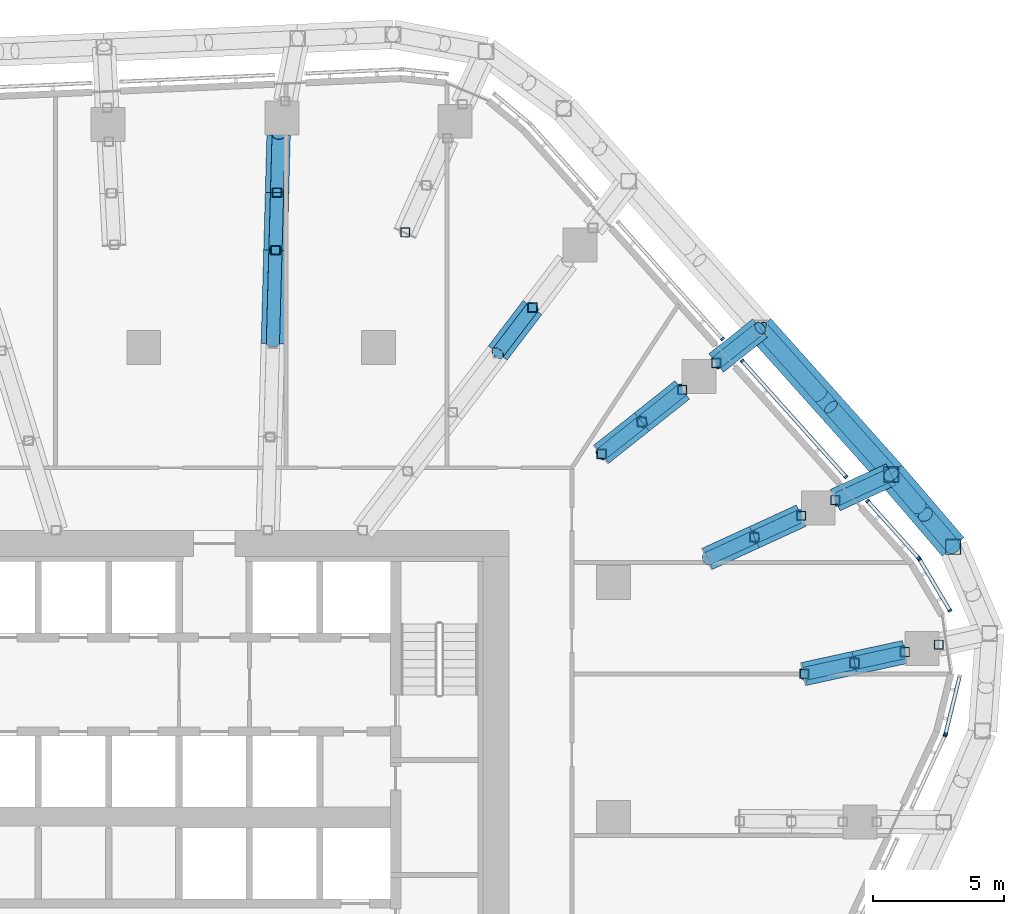
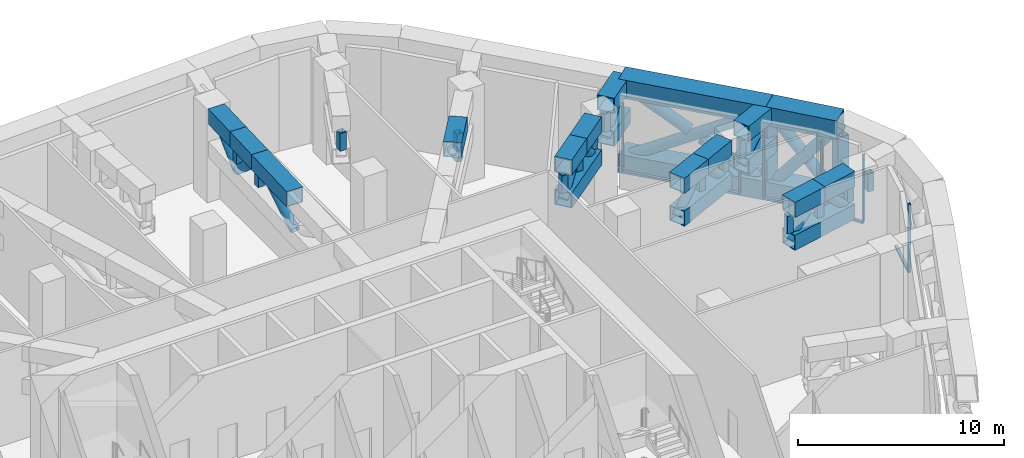
# One storey, part 12 of 30: 69 members, 3 elements without a shape of their own.
"""IFC4 building model written with IfcOpenShell, lengths in metres."""

from ifc_helpers import new_model, si_unit, direction, frame, origin, origin_2d, place, context, subcontext, project, spatial, rectangle, hollow_rectangle, hollow_circle, extrude, material, layer, layer_set, material_profile, profile_set, type_object, element, aggregate, save


model = new_model("IFC4")

# Units and contexts
model_context = context("Model", 3, precision=1e-05, world=origin(), true_north=direction((0.0, 1.0)))
body_context = subcontext(model_context, "Body", "Model", "MODEL_VIEW")
ifc_project = project(units=[si_unit("LENGTHUNIT", "METRE"), si_unit("AREAUNIT", "SQUARE_METRE"), si_unit("VOLUMEUNIT", "CUBIC_METRE"), si_unit("PLANEANGLEUNIT", "RADIAN"), si_unit("MASSUNIT", "GRAM", prefix="KILO")], contexts=[model_context])

# Site, building, storey
site_placement = place(None, origin())
site = spatial("IfcSite", under=ifc_project, at=site_placement, CompositionType="ELEMENT")
building_placement = place(site_placement, origin())
building = spatial("IfcBuilding", under=site, at=building_placement, Name="Dongbaek Canopy Tower", CompositionType="ELEMENT")
storey_placement = place(building_placement, frame((0.0, 0.0, 145.60009765625)))
storey = spatial("IfcBuildingStorey", under=building, at=storey_placement, Name="L32", CompositionType="ELEMENT", Elevation=145.60009765625)

# Members
ifc_material_1 = material(Name="Steel S355", Category="steel")
ifc_material_profile_1 = material_profile(ifc_material_1, hollow_circle(Radius=0.304931640625, WallThickness=0.01611328125, at=origin_2d()), Name="BELT BRACE CHS 610.0x16.0 Steel S355")
ifc_profile_set_1 = profile_set([ifc_material_profile_1], Name="Steel S355")
member_type_1 = type_object("IfcMemberType", Name="BELT BRACE CHS 610.0x16.0 Steel S355", PredefinedType="BRACE", material=ifc_profile_set_1)
member_1_placement = place(storey_placement, frame((23.6142578125, 18.751708984375, 0.5498046875), z_axis=(0.573888584404, -0.641523159433, 0.509018593573), x_axis=(0.74530240219, 0.666726577609, 0.0)))
element("IfcMember", 1, at=member_1_placement, inside=storey, type_object=member_type_1, Name="BELT:L32:19:D0:0", PredefinedType="BRACE", context=body_context, shape_type="SweptSolid", body=[
    extrude(hollow_circle(Radius=0.304931640625, WallThickness=0.01611328125, at=origin_2d()), origin(), (0.0, 0.0, 1.0), 8.74267578125),
])
for number, where, z_axis, x_axis, name in (
    (2, (28.631591796875, 13.14306640625, 0.5498046875), (-0.573878596687, 0.64154007869, 0.509008530085), (-0.745316905505, -0.666710364677, 0.0), "BELT:L32:19:D0:1"),
    (3, (23.6142578125, 18.751708984375, 5.0), (0.573878596687, -0.64154007869, -0.509008530085), (0.745316905505, 0.666710364677, 0.0), "BELT:L32:19:D0:2"),
):
    element("IfcMember", number, at=place(storey_placement, frame(where, z_axis=z_axis, x_axis=x_axis)), inside=storey, type_object=member_type_1, Name=name, PredefinedType="BRACE", context=body_context, shape_type="SweptSolid", body=[
        extrude(hollow_circle(Radius=0.304931640625, WallThickness=0.01611328125, at=origin_2d()), origin(), (0.0, 0.0, 1.0), 4.023193359375),
    ])
member_2_placement = place(storey_placement, frame((28.631591796875, 13.14306640625, 0.5498046875), z_axis=(0.412661756415, -0.481989949154, 0.772913943273), x_axis=(0.759624423544, 0.650362003161, 0.0)))
element("IfcMember", 4, at=member_2_placement, inside=storey, type_object=member_type_1, Name="BELT:L32:20:D0:0", PredefinedType="BRACE", context=body_context, shape_type="SweptSolid", body=[
    extrude(hollow_circle(Radius=0.304931640625, WallThickness=0.01611328125, at=origin_2d()), origin(), (0.0, 0.0, 1.0), 5.757568359375),
])
for number, where, z_axis, x_axis, name in (
    (5, (31.007568359375, 10.367919921875, 0.5498046875), (-0.412627956944, 0.481938044643, 0.772964352525), (-0.759616138965, -0.650371679445, 0.0), "BELT:L32:20:D0:1"),
    (6, (28.631591796875, 13.14306640625, 5.0), (0.412609049546, -0.482011032534, -0.772928933827), (0.759679514404, 0.650297651383, 0.0), "BELT:L32:20:D0:2"),
):
    element("IfcMember", number, at=place(storey_placement, frame(where, z_axis=z_axis, x_axis=x_axis)), inside=storey, type_object=member_type_1, Name=name, PredefinedType="BRACE", context=body_context, shape_type="SweptSolid", body=[
        extrude(hollow_circle(Radius=0.304931640625, WallThickness=0.01611328125, at=origin_2d()), origin(), (0.0, 0.0, 1.0), 2.56787109375),
    ])
ifc_material_2 = material(Name="Steel S355", Category="steel")
ifc_material_profile_2 = material_profile(ifc_material_2, hollow_rectangle(XDim=1.10009765625, YDim=1.10009765625, WallThickness=0.054931640625, at=origin_2d()), Name="BELT CHORD BOX 1100x1100x55 Steel S355")
ifc_profile_set_2 = profile_set([ifc_material_profile_2], Name="Steel S355")
member_type_2 = type_object("IfcMemberType", Name="BELT CHORD BOX 1100x1100x55 Steel S355", PredefinedType="CHORD", material=ifc_profile_set_2)
for number, where, z_axis, x_axis, name in (
    (7, (23.6142578125, 18.751708984375, 0.5498046875), (0.666726577609, -0.74530240219, 0.0), (0.74530240219, 0.666726577609, 0.0), "BELT:L32:19:CB0"),
    (8, (23.6142578125, 18.751708984375, 5.0), (0.666726577609, -0.74530240219, 0.0), (0.74530240219, 0.666726577609, 0.0), "BELT:L32:19:CT0"),
):
    element("IfcMember", number, at=place(storey_placement, frame(where, z_axis=z_axis, x_axis=x_axis)), inside=storey, type_object=member_type_2, Name=name, PredefinedType="CHORD", context=body_context, shape_type="SweptSolid", body=[
        extrude(hollow_rectangle(XDim=1.10009765625, YDim=1.10009765625, WallThickness=0.054931640625, at=origin_2d()), origin(), (0.0, 0.0, 1.0), 7.525390625),
    ])
for number, where, z_axis, x_axis, name in (
    (9, (28.631591796875, 13.14306640625, 0.5498046875), (0.650362003161, -0.759624423544, 0.0), (0.759624423544, 0.650362003161, 0.0), "BELT:L32:20:CB0"),
    (10, (28.631591796875, 13.14306640625, 5.0), (0.650362003161, -0.759624423544, 0.0), (0.759624423544, 0.650362003161, 0.0), "BELT:L32:20:CT0"),
):
    element("IfcMember", number, at=place(storey_placement, frame(where, z_axis=z_axis, x_axis=x_axis)), inside=storey, type_object=member_type_2, Name=name, PredefinedType="CHORD", context=body_context, shape_type="SweptSolid", body=[
        extrude(hollow_rectangle(XDim=1.10009765625, YDim=1.10009765625, WallThickness=0.054931640625, at=origin_2d()), origin(), (0.0, 0.0, 1.0), 3.6533203125),
    ])
ifc_material_3 = material(Name="Steel S355", Category="steel")
ifc_material_profile_3 = material_profile(ifc_material_3, hollow_rectangle(XDim=0.60009765625, YDim=0.60009765625, WallThickness=0.031982421875, at=origin_2d()), Name="BELT POST BOX 600x600x32 Steel S355")
ifc_profile_set_3 = profile_set([ifc_material_profile_3], Name="Steel S355")
member_type_3 = type_object("IfcMemberType", Name="BELT POST BOX 600x600x32 Steel S355", PredefinedType="POST", material=ifc_profile_set_3)
for number, where, z_axis, x_axis, name in (
    (11, (28.631591796875, 13.14306640625, 1.099853515625), (0.0, 0.0, 1.0), (1.0, 0.0, 0.0), "BELT:L32:20:P0"),
    (12, (31.007568359375, 10.367919921875, 1.099853515625), (0.0, 0.0, 1.0), (1.0, 0.0, 0.0), "BELT:L32:20:P1"),
):
    element("IfcMember", number, at=place(storey_placement, frame(where, z_axis=z_axis, x_axis=x_axis)), inside=storey, type_object=member_type_3, Name=name, PredefinedType="POST", context=body_context, shape_type="SweptSolid", body=[
        extrude(hollow_rectangle(XDim=0.60009765625, YDim=0.60009765625, WallThickness=0.031982421875, at=origin_2d()), origin(), (0.0, 0.0, 1.0), 3.35009765625),
    ])
ifc_material_4 = material(Name="Steel S355", Category="steel")
ifc_material_profile_4 = material_profile(ifc_material_4, hollow_circle(Radius=0.25390625, WallThickness=0.01611328125, at=origin_2d()), Name="BRACE CHS 508.0x16.0 Steel S355")
ifc_profile_set_4 = profile_set([ifc_material_profile_4], Name="Steel S355")
member_type_4 = type_object("IfcMemberType", Name="BRACE CHS 508.0x16.0 Steel S355", PredefinedType="BRACE", material=ifc_profile_set_4)
for number, where, z_axis, x_axis, name in (
    (13, (17.53662109375, 13.925537109375, 3.14990234375), (0.557257534504, 0.442551326928, 0.702575521402), (-0.621902210185, 0.783094911851, 0.0), "TRUSS:L32:19:D0"),
    (14, (19.083251953125, 15.15380859375, 5.099853515625), (0.557279227079, 0.442480585984, -0.702602870826), (-0.621826396664, 0.78315511389, 0.0), "TRUSS:L32:19:D1"),
):
    element("IfcMember", number, at=place(storey_placement, frame(where, z_axis=z_axis, x_axis=x_axis)), inside=storey, type_object=member_type_4, Name=name, PredefinedType="BRACE", context=body_context, shape_type="SweptSolid", body=[
        extrude(hollow_circle(Radius=0.25390625, WallThickness=0.01611328125, at=origin_2d()), origin(), (0.0, 0.0, 1.0), 2.775390625),
    ])
member_3_placement = place(storey_placement, frame((21.601318359375, 9.915771484375, 3.14990234375), z_axis=(0.646668286094, 0.296899124686, 0.702617276702), x_axis=(-0.417246336467, 0.908793427961, 0.0)))
element("IfcMember", 15, at=member_3_placement, inside=storey, type_object=member_type_4, Name="TRUSS:L32:20:D0", PredefinedType="BRACE", context=body_context, shape_type="SweptSolid", body=[
    extrude(hollow_circle(Radius=0.25390625, WallThickness=0.01611328125, at=origin_2d()), origin(), (0.0, 0.0, 1.0), 2.775146484375),
])
for number, where, z_axis, x_axis, name in (
    (16, (23.39599609375, 10.73974609375, 5.099853515625), (0.646719464508, 0.296882235135, -0.702577307267), (-0.417199462381, 0.908814947384, 0.0), "TRUSS:L32:20:D1"),
    (17, (25.30126953125, 5.50146484375, 3.14990234375), (0.695369495403, 0.151125211019, 0.702582689409), (-0.212373190942, 0.977188634691, 0.0), "TRUSS:L32:21:D0"),
    (18, (27.231201171875, 5.9208984375, 5.099853515625), (0.695305560967, 0.151306372073, -0.702606973107), (-0.212634937416, 0.977131712406, 0.0), "TRUSS:L32:21:D1"),
):
    element("IfcMember", number, at=place(storey_placement, frame(where, z_axis=z_axis, x_axis=x_axis)), inside=storey, type_object=member_type_4, Name=name, PredefinedType="BRACE", context=body_context, shape_type="SweptSolid", body=[
        extrude(hollow_circle(Radius=0.25390625, WallThickness=0.01611328125, at=origin_2d()), origin(), (0.0, 0.0, 1.0), 2.775390625),
    ])
member_4_placement = place(storey_placement, frame((21.929931640625, 17.414306640625, 3.14990234375), z_axis=(0.580184699586, 0.460682966275, 0.671682156195), x_axis=(-0.621839145196, 0.783144991366, 0.0)))
element("IfcMember", 19, at=member_4_placement, inside=storey, type_object=member_type_4, Name="TRUSS:L32:19x:D0", PredefinedType="BRACE", context=body_context, shape_type="SweptSolid", body=[
    extrude(hollow_circle(Radius=0.25390625, WallThickness=0.01611328125, at=origin_2d()), origin(), (0.0, 0.0, 1.0), 2.903076171875),
])
member_5_placement = place(storey_placement, frame((26.490966796875, 12.160400390625, 3.14990234375), z_axis=(0.700051092016, 0.321362413933, 0.637694807474), x_axis=(-0.417197133479, 0.908816016483, 0.0)))
element("IfcMember", 20, at=member_5_placement, inside=storey, type_object=member_type_4, Name="TRUSS:L32:20x:D0", PredefinedType="BRACE", context=body_context, shape_type="SweptSolid", body=[
    extrude(hollow_circle(Radius=0.25390625, WallThickness=0.01611328125, at=origin_2d()), origin(), (0.0, 0.0, 1.0), 3.057861328125),
])
ifc_material_5 = material(Name="Steel S355", Category="steel")
ifc_material_profile_5 = material_profile(ifc_material_5, hollow_rectangle(XDim=0.89990234375, YDim=0.89990234375, WallThickness=0.044921875, at=origin_2d()), Name="CHORD BOX 900x900x45 Steel S355")
ifc_profile_set_5 = profile_set([ifc_material_profile_5], Name="Steel S355")
member_type_5 = type_object("IfcMemberType", Name="CHORD BOX 900x900x45 Steel S355", PredefinedType="CHORD", material=ifc_profile_set_5)
member_6_placement = place(storey_placement, frame((17.53662109375, 13.925537109375, 3.14990234375), z_axis=(0.783125012631, 0.62186430561, 0.0), x_axis=(-0.62186430561, 0.783125012631, 0.0)))
element("IfcMember", 21, at=member_6_placement, inside=storey, type_object=member_type_5, Name="TRUSS:L32:19:CB", PredefinedType="CHORD", context=body_context, shape_type="SweptSolid", body=[
    extrude(hollow_rectangle(XDim=0.89990234375, YDim=0.89990234375, WallThickness=0.044921875, at=origin_2d()), origin(), (0.0, 0.0, 1.0), 3.949951171875),
])
member_7_placement = place(storey_placement, frame((17.53662109375, 13.925537109375, 5.099853515625), z_axis=(0.783094911851, 0.621902210185, 0.0), x_axis=(-0.621902210185, 0.783094911851, 0.0)))
element("IfcMember", 22, at=member_7_placement, inside=storey, type_object=member_type_5, Name="TRUSS:L32:19:CT0", PredefinedType="CHORD", context=body_context, shape_type="SweptSolid", body=[
    extrude(hollow_rectangle(XDim=0.89990234375, YDim=0.89990234375, WallThickness=0.044921875, at=origin_2d()), origin(), (0.0, 0.0, 1.0), 1.97509765625),
])
member_8_placement = place(storey_placement, frame((19.083251953125, 15.15380859375, 5.099853515625), z_axis=(0.78315511389, 0.621826396664, 0.0), x_axis=(-0.621826396664, 0.78315511389, 0.0)))
element("IfcMember", 23, at=member_8_placement, inside=storey, type_object=member_type_5, Name="TRUSS:L32:19:CT1", PredefinedType="CHORD", context=body_context, shape_type="SweptSolid", body=[
    extrude(hollow_rectangle(XDim=0.89990234375, YDim=0.89990234375, WallThickness=0.044921875, at=origin_2d()), origin(), (0.0, 0.0, 1.0), 1.974853515625),
])
member_9_placement = place(storey_placement, frame((21.601318359375, 9.915771484375, 3.14990234375), z_axis=(0.908804188579, 0.417222898246, 0.0), x_axis=(-0.417222898246, 0.908804188579, 0.0)))
element("IfcMember", 24, at=member_9_placement, inside=storey, type_object=member_type_5, Name="TRUSS:L32:20:CB", PredefinedType="CHORD", context=body_context, shape_type="SweptSolid", body=[
    extrude(hollow_rectangle(XDim=0.89990234375, YDim=0.89990234375, WallThickness=0.044921875, at=origin_2d()), origin(), (0.0, 0.0, 1.0), 3.94970703125),
])
member_10_placement = place(storey_placement, frame((21.601318359375, 9.915771484375, 5.099853515625), z_axis=(0.908793427961, 0.417246336467, 0.0), x_axis=(-0.417246336467, 0.908793427961, 0.0)))
element("IfcMember", 25, at=member_10_placement, inside=storey, type_object=member_type_5, Name="TRUSS:L32:20:CT0", PredefinedType="CHORD", context=body_context, shape_type="SweptSolid", body=[
    extrude(hollow_rectangle(XDim=0.89990234375, YDim=0.89990234375, WallThickness=0.044921875, at=origin_2d()), origin(), (0.0, 0.0, 1.0), 1.974853515625),
])
member_11_placement = place(storey_placement, frame((23.39599609375, 10.73974609375, 5.099853515625), z_axis=(0.908814947384, 0.417199462381, 0.0), x_axis=(-0.417199462381, 0.908814947384, 0.0)))
element("IfcMember", 26, at=member_11_placement, inside=storey, type_object=member_type_5, Name="TRUSS:L32:20:CT1", PredefinedType="CHORD", context=body_context, shape_type="SweptSolid", body=[
    extrude(hollow_rectangle(XDim=0.89990234375, YDim=0.89990234375, WallThickness=0.044921875, at=origin_2d()), origin(), (0.0, 0.0, 1.0), 1.97509765625),
])
member_12_placement = place(storey_placement, frame((25.30126953125, 5.50146484375, 3.14990234375), z_axis=(0.977160183284, 0.212504061619, 0.0), x_axis=(-0.212504061619, 0.977160183284, 0.0)))
element("IfcMember", 27, at=member_12_placement, inside=storey, type_object=member_type_5, Name="TRUSS:L32:21:CB", PredefinedType="CHORD", context=body_context, shape_type="SweptSolid", body=[
    extrude(hollow_rectangle(XDim=0.89990234375, YDim=0.89990234375, WallThickness=0.044921875, at=origin_2d()), origin(), (0.0, 0.0, 1.0), 3.949951171875),
])
member_13_placement = place(storey_placement, frame((25.30126953125, 5.50146484375, 5.099853515625), z_axis=(0.977188634691, 0.212373190942, 0.0), x_axis=(-0.212373190942, 0.977188634691, 0.0)))
element("IfcMember", 28, at=member_13_placement, inside=storey, type_object=member_type_5, Name="TRUSS:L32:21:CT0", PredefinedType="CHORD", context=body_context, shape_type="SweptSolid", body=[
    extrude(hollow_rectangle(XDim=0.89990234375, YDim=0.89990234375, WallThickness=0.044921875, at=origin_2d()), origin(), (0.0, 0.0, 1.0), 1.97509765625),
])
member_14_placement = place(storey_placement, frame((27.231201171875, 5.9208984375, 5.099853515625), z_axis=(0.977131712406, 0.212634937416, 0.0), x_axis=(-0.212634937416, 0.977131712406, 0.0)))
element("IfcMember", 29, at=member_14_placement, inside=storey, type_object=member_type_5, Name="TRUSS:L32:21:CT1", PredefinedType="CHORD", context=body_context, shape_type="SweptSolid", body=[
    extrude(hollow_rectangle(XDim=0.89990234375, YDim=0.89990234375, WallThickness=0.044921875, at=origin_2d()), origin(), (0.0, 0.0, 1.0), 1.974853515625),
])
for number, where, z_axis, x_axis, name in (
    (30, (21.929931640625, 17.414306640625, 3.14990234375), (0.783144991366, 0.621839145196, 0.0), (-0.621839145196, 0.783144991366, 0.0), "TRUSS:L32:19x:CB"),
    (31, (21.929931640625, 17.414306640625, 5.099853515625), (0.783144991366, 0.621839145196, 0.0), (-0.621839145196, 0.783144991366, 0.0), "TRUSS:L32:19x:CT0"),
):
    element("IfcMember", number, at=place(storey_placement, frame(where, z_axis=z_axis, x_axis=x_axis)), inside=storey, type_object=member_type_5, Name=name, PredefinedType="CHORD", context=body_context, shape_type="SweptSolid", body=[
        extrude(hollow_rectangle(XDim=0.89990234375, YDim=0.89990234375, WallThickness=0.044921875, at=origin_2d()), origin(), (0.0, 0.0, 1.0), 2.150634765625),
    ])
for number, where, z_axis, x_axis, name in (
    (32, (26.490966796875, 12.160400390625, 3.14990234375), (0.908816016483, 0.417197133479, 0.0), (-0.417197133479, 0.908816016483, 0.0), "TRUSS:L32:20x:CB"),
    (33, (26.490966796875, 12.160400390625, 5.099853515625), (0.908816016483, 0.417197133479, 0.0), (-0.417197133479, 0.908816016483, 0.0), "TRUSS:L32:20x:CT0"),
):
    element("IfcMember", number, at=place(storey_placement, frame(where, z_axis=z_axis, x_axis=x_axis)), inside=storey, type_object=member_type_5, Name=name, PredefinedType="CHORD", context=body_context, shape_type="SweptSolid", body=[
        extrude(hollow_rectangle(XDim=0.89990234375, YDim=0.89990234375, WallThickness=0.044921875, at=origin_2d()), origin(), (0.0, 0.0, 1.0), 2.35546875),
    ])

# Curtain wall, members
ifc_material_6 = material(Name="Aluminium 6063-T6 pale anodised", Category="aluminium")
ifc_layer = layer(ifc_material_6, 0.14990234375)
ifc_layer_set = layer_set([ifc_layer], Name="CW-7 louvre curtain wall")
curtain_wall_type = type_object("IfcCurtainWallType", Name="CW-7 louvre curtain wall", PredefinedType="NOTDEFINED", material=ifc_layer_set)
curtain_wall_1_placement = place(storey_placement, origin())
curtain_wall_1 = element("IfcCurtainWall", 34, at=curtain_wall_1_placement, inside=storey, type_object=curtain_wall_type, Name="CW-7 louvre wall L32 K0", PredefinedType="NOTDEFINED")
ifc_material_7 = material(Name="Aluminium 6063-T6 pale anodised", Category="aluminium")
ifc_material_profile_6 = material_profile(ifc_material_7, rectangle(XDim=0.14990234375, YDim=0.080078125, at=origin_2d()), Name="CW-7 mullion 80 x 150")
ifc_profile_set_6 = profile_set([ifc_material_profile_6], Name="Aluminium 6063-T6 pale anodised")
member_type_6 = type_object("IfcMemberType", Name="CW-7 mullion 80 x 150", PredefinedType="MULLION", material=ifc_profile_set_6)
member_15_placement = place(storey_placement, frame((30.718505859375, 3.198974609375, 0.77490234375), z_axis=(0.0, 0.0, 1.0), x_axis=(0.971366661687, -0.237585371105, 0.0)))
member_15 = element("IfcMember", 35, at=member_15_placement, type_object=member_type_6, Name="CW-7 mullion L32 K0.1.1", PredefinedType="MULLION", context=body_context, shape_type="SweptSolid", body=[
    extrude(rectangle(XDim=0.14990234375, YDim=0.080078125, at=origin_2d()), origin(), (0.0, 0.0, 1.0), 4.0),
])
member_16_placement = place(storey_placement, frame((30.88671875, 7.92724609375, 0.77490234375), z_axis=(0.0, 0.0, 1.0), x_axis=(0.859830210891, 0.510580070547, 0.0)))
member_16 = element("IfcMember", 36, at=member_16_placement, type_object=member_type_6, Name="CW-7 mullion L32 K0.2.1", PredefinedType="MULLION", context=body_context, shape_type="SweptSolid", body=[
    extrude(rectangle(XDim=0.14990234375, YDim=0.080078125, at=origin_2d()), origin(), (0.0, 0.0, 1.0), 4.0),
])
member_17_placement = place(storey_placement, frame((29.720947265625, 9.890625, 0.77490234375), z_axis=(0.0, 0.0, 1.0), x_axis=(0.859830210891, 0.510580070547, 0.0)))
member_17 = element("IfcMember", 37, at=member_17_placement, type_object=member_type_6, Name="CW-7 mullion L32 K0.2.2", PredefinedType="MULLION", context=body_context, shape_type="SweptSolid", body=[
    extrude(rectangle(XDim=0.14990234375, YDim=0.080078125, at=origin_2d()), origin(), (0.0, 0.0, 1.0), 4.0),
])

curtain_wall_2_placement = place(storey_placement, origin())
curtain_wall_2 = element("IfcCurtainWall", 38, at=curtain_wall_2_placement, inside=storey, type_object=curtain_wall_type, Name="CW-7 louvre wall L32 F0", PredefinedType="NOTDEFINED")
member_18_placement = place(storey_placement, frame((29.680908203125, 9.9453125, 0.77490234375), z_axis=(0.0, 0.0, 1.0), x_axis=(0.745311806373, 0.666716064964, 0.0)))
member_18 = element("IfcMember", 39, at=member_18_placement, type_object=member_type_6, Name="CW-7 mullion L32 F0.1.1", PredefinedType="MULLION", context=body_context, shape_type="SweptSolid", body=[
    extrude(rectangle(XDim=0.14990234375, YDim=0.080078125, at=origin_2d()), origin(), (0.0, 0.0, 1.0), 4.0),
])
member_19_placement = place(storey_placement, frame((27.729736328125, 12.126220703125, 0.77490234375), z_axis=(0.0, 0.0, 1.0), x_axis=(0.745311806373, 0.666716064964, 0.0)))
member_19 = element("IfcMember", 40, at=member_19_placement, type_object=member_type_6, Name="CW-7 mullion L32 F0.1.2", PredefinedType="MULLION", context=body_context, shape_type="SweptSolid", body=[
    extrude(rectangle(XDim=0.14990234375, YDim=0.080078125, at=origin_2d()), origin(), (0.0, 0.0, 1.0), 4.0),
])
member_20_placement = place(storey_placement, frame((26.908935546875, 13.043701171875, 0.77490234375), z_axis=(0.0, 0.0, 1.0), x_axis=(0.745311806373, 0.666716064964, 0.0)))
member_20 = element("IfcMember", 41, at=member_20_placement, type_object=member_type_6, Name="CW-7 mullion L32 F0.2.1", PredefinedType="MULLION", context=body_context, shape_type="SweptSolid", body=[
    extrude(rectangle(XDim=0.14990234375, YDim=0.080078125, at=origin_2d()), origin(), (0.0, 0.0, 1.0), 4.0),
])
member_21_placement = place(storey_placement, frame((22.9248046875, 17.49755859375, 0.77490234375), z_axis=(0.0, 0.0, 1.0), x_axis=(0.745311806373, 0.666716064964, 0.0)))
member_21 = element("IfcMember", 42, at=member_21_placement, type_object=member_type_6, Name="CW-7 mullion L32 F0.2.2", PredefinedType="MULLION", context=body_context, shape_type="SweptSolid", body=[
    extrude(rectangle(XDim=0.14990234375, YDim=0.080078125, at=origin_2d()), origin(), (0.0, 0.0, 1.0), 4.0),
])
member_22_placement = place(storey_placement, frame((22.1748046875, 18.3359375, 0.77490234375), z_axis=(0.0, 0.0, 1.0), x_axis=(0.745311806373, 0.666716064964, 0.0)))
member_22 = element("IfcMember", 43, at=member_22_placement, type_object=member_type_6, Name="CW-7 mullion L32 F0.3.1", PredefinedType="MULLION", context=body_context, shape_type="SweptSolid", body=[
    extrude(rectangle(XDim=0.14990234375, YDim=0.080078125, at=origin_2d()), origin(), (0.0, 0.0, 1.0), 4.0),
])

# Curtain wall, member
curtain_wall_3_placement = place(storey_placement, origin())
curtain_wall_3 = element("IfcCurtainWall", 44, at=curtain_wall_3_placement, inside=storey, type_object=curtain_wall_type, Name="CW-7 louvre wall L32 F5", PredefinedType="NOTDEFINED")
member_23_placement = place(storey_placement, frame((30.696044921875, 3.135009765625, 0.77490234375), z_axis=(0.0, 0.0, 1.0), x_axis=(0.907369226366, -0.420334494236, 0.0)))
member_23 = element("IfcMember", 45, at=member_23_placement, type_object=member_type_6, Name="CW-7 mullion L32 F5.5.2", PredefinedType="MULLION", context=body_context, shape_type="SweptSolid", body=[
    extrude(rectangle(XDim=0.14990234375, YDim=0.080078125, at=origin_2d()), origin(), (0.0, 0.0, 1.0), 4.0),
])
aggregate(curtain_wall_3, [member_23])

# Member
ifc_material_8 = material(Name="Aluminium 6063-T6 pale anodised", Category="aluminium")
ifc_material_profile_7 = material_profile(ifc_material_8, rectangle(XDim=0.14990234375, YDim=0.1201171875, at=origin_2d()), Name="CW-7 transom 120 x 150")
ifc_profile_set_7 = profile_set([ifc_material_profile_7], Name="Aluminium 6063-T6 pale anodised")
member_type_7 = type_object("IfcMemberType", Name="CW-7 transom 120 x 150", PredefinedType="USERDEFINED", material=ifc_profile_set_7)
member_24_placement = place(storey_placement, frame((30.718505859375, 3.198974609375, 0.71484375), z_axis=(0.23757640039, 0.971368855779, 0.0), x_axis=(-0.971368855779, 0.23757640039, 0.0)))
member_24 = element("IfcMember", 46, at=member_24_placement, type_object=member_type_7, Name="CW-7 transom L32 K0.1", ObjectType="TRANSOM", PredefinedType="USERDEFINED", context=body_context, shape_type="SweptSolid", body=[
    extrude(rectangle(XDim=0.14990234375, YDim=0.1201171875, at=origin_2d()), origin(), (0.0, 0.0, 1.0), 2.283447265625),
])

member_25_placement = place(storey_placement, frame((30.88671875, 7.92724609375, 0.71484375), z_axis=(-0.510543694861, 0.859851810277, 0.0), x_axis=(-0.859851810277, -0.510543694861, 0.0)))
member_25 = element("IfcMember", 47, at=member_25_placement, type_object=member_type_7, Name="CW-7 transom L32 K0.2", ObjectType="TRANSOM", PredefinedType="USERDEFINED", context=body_context, shape_type="SweptSolid", body=[
    extrude(rectangle(XDim=0.14990234375, YDim=0.1201171875, at=origin_2d()), origin(), (0.0, 0.0, 1.0), 2.283447265625),
])

aggregate(curtain_wall_1, [member_24, member_15, member_25, member_16, member_17])

member_26_placement = place(storey_placement, frame((29.680908203125, 9.9453125, 0.71484375), z_axis=(-0.666763155914, 0.745269678651, 0.0), x_axis=(-0.745269678651, -0.666763155914, 0.0)))
member_26 = element("IfcMember", 48, at=member_26_placement, type_object=member_type_7, Name="CW-7 transom L32 F0.1", ObjectType="TRANSOM", PredefinedType="USERDEFINED", context=body_context, shape_type="SweptSolid", body=[
    extrude(rectangle(XDim=0.14990234375, YDim=0.1201171875, at=origin_2d()), origin(), (0.0, 0.0, 1.0), 2.92626953125),
])

member_27_placement = place(storey_placement, frame((26.908935546875, 13.043701171875, 0.71484375), z_axis=(-0.666711259846, 0.745316104747, 0.0), x_axis=(-0.745316104747, -0.666711259846, 0.0)))
member_27 = element("IfcMember", 49, at=member_27_placement, type_object=member_type_7, Name="CW-7 transom L32 F0.2", ObjectType="TRANSOM", PredefinedType="USERDEFINED", context=body_context, shape_type="SweptSolid", body=[
    extrude(rectangle(XDim=0.14990234375, YDim=0.1201171875, at=origin_2d()), origin(), (0.0, 0.0, 1.0), 5.975830078125),
])

aggregate(curtain_wall_2, [member_26, member_18, member_19, member_27, member_20, member_21, member_22])

# Members
ifc_material_9 = material(Name="Steel S355", Category="steel")
ifc_material_profile_8 = material_profile(ifc_material_9, hollow_circle(Radius=0.25390625, WallThickness=0.01611328125, at=origin_2d()), Name="OUTRIGGER BRACE CHS 508.0x16.0 Steel S355")
ifc_profile_set_8 = profile_set([ifc_material_profile_8], Name="Steel S355")
member_type_8 = type_object("IfcMemberType", Name="OUTRIGGER BRACE CHS 508.0x16.0 Steel S355", PredefinedType="BRACE", material=ifc_profile_set_8)
member_28_placement = place(storey_placement, frame((4.94677734375, 18.157470703125, 3.14990234375), z_axis=(0.024135131642, 0.877848038736, 0.478330760362), x_axis=(-0.99962226734, 0.027483133698, 0.0)))
element("IfcMember", 50, at=member_28_placement, inside=storey, type_object=member_type_8, Name="TRUSS:L32:16:D2", PredefinedType="BRACE", context=body_context, shape_type="SweptSolid", body=[
    extrude(hollow_circle(Radius=0.25390625, WallThickness=0.01611328125, at=origin_2d()), origin(), (0.0, 0.0, 1.0), 4.07666015625),
])
for number, where, z_axis, x_axis, name in (
    (51, (5.045166015625, 21.736083984375, 5.099853515625), (0.020643800258, 0.749063194092, -0.662176837987), (-0.999620453424, 0.027549030758, 0.0), "TRUSS:L32:16:D3"),
    (52, (5.10595703125, 23.94189453125, 3.14990234375), (0.020559651709, 0.749100858232, 0.662136847576), (-0.999623577435, 0.027435441258, 0.0), "TRUSS:L32:16:D4"),
):
    element("IfcMember", number, at=place(storey_placement, frame(where, z_axis=z_axis, x_axis=x_axis)), inside=storey, type_object=member_type_8, Name=name, PredefinedType="BRACE", context=body_context, shape_type="SweptSolid", body=[
        extrude(hollow_circle(Radius=0.25390625, WallThickness=0.01611328125, at=origin_2d()), origin(), (0.0, 0.0, 1.0), 2.94482421875),
    ])
member_29_placement = place(storey_placement, frame((13.560302734375, 17.791748046875, 5.099853515625), z_axis=(0.453239029289, 0.594730743862, -0.663980214038), x_axis=(-0.795360254968, 0.606137001689, 0.0)))
element("IfcMember", 53, at=member_29_placement, inside=storey, type_object=member_type_8, Name="TRUSS:L32:18:D3", PredefinedType="BRACE", context=body_context, shape_type="SweptSolid", body=[
    extrude(hollow_circle(Radius=0.25390625, WallThickness=0.01611328125, at=origin_2d()), origin(), (0.0, 0.0, 1.0), 2.936767578125),
])
ifc_material_10 = material(Name="Steel S355", Category="steel")
ifc_material_profile_9 = material_profile(ifc_material_10, hollow_rectangle(XDim=0.89990234375, YDim=0.89990234375, WallThickness=0.044921875, at=origin_2d()), Name="OUTRIGGER CHORD BOX 900x900x45 Steel S355")
ifc_profile_set_9 = profile_set([ifc_material_profile_9], Name="Steel S355")
member_type_9 = type_object("IfcMemberType", Name="OUTRIGGER CHORD BOX 900x900x45 Steel S355", PredefinedType="CHORD", material=ifc_profile_set_9)
member_30_placement = place(storey_placement, frame((4.94677734375, 18.157470703125, 5.099853515625), z_axis=(0.027483133698, 0.99962226734, 0.0), x_axis=(-0.99962226734, 0.027483133698, 0.0)))
element("IfcMember", 54, at=member_30_placement, inside=storey, type_object=member_type_9, Name="TRUSS:L32:16:CT2", PredefinedType="CHORD", context=body_context, shape_type="SweptSolid", body=[
    extrude(hollow_rectangle(XDim=0.89990234375, YDim=0.89990234375, WallThickness=0.044921875, at=origin_2d()), origin(), (0.0, 0.0, 1.0), 3.580078125),
])
member_31_placement = place(storey_placement, frame((5.045166015625, 21.736083984375, 5.099853515625), z_axis=(0.027549030758, 0.999620453424, 0.0), x_axis=(-0.999620453424, 0.027549030758, 0.0)))
element("IfcMember", 55, at=member_31_placement, inside=storey, type_object=member_type_9, Name="TRUSS:L32:16:CT3", PredefinedType="CHORD", context=body_context, shape_type="SweptSolid", body=[
    extrude(hollow_rectangle(XDim=0.89990234375, YDim=0.89990234375, WallThickness=0.044921875, at=origin_2d()), origin(), (0.0, 0.0, 1.0), 2.20654296875),
])
member_32_placement = place(storey_placement, frame((5.10595703125, 23.94189453125, 5.099853515625), z_axis=(0.027435441258, 0.999623577435, 0.0), x_axis=(-0.999623577435, 0.027435441258, 0.0)))
element("IfcMember", 56, at=member_32_placement, inside=storey, type_object=member_type_9, Name="TRUSS:L32:16:CT4", PredefinedType="CHORD", context=body_context, shape_type="SweptSolid", body=[
    extrude(hollow_rectangle(XDim=0.89990234375, YDim=0.89990234375, WallThickness=0.044921875, at=origin_2d()), origin(), (0.0, 0.0, 1.0), 2.206787109375),
])
member_33_placement = place(storey_placement, frame((13.560302734375, 17.791748046875, 5.099853515625), z_axis=(0.606137001689, 0.795360254968, 0.0), x_axis=(-0.795360254968, 0.606137001689, 0.0)))
element("IfcMember", 57, at=member_33_placement, inside=storey, type_object=member_type_9, Name="TRUSS:L32:18:CT3", PredefinedType="CHORD", context=body_context, shape_type="SweptSolid", body=[
    extrude(hollow_rectangle(XDim=0.89990234375, YDim=0.89990234375, WallThickness=0.044921875, at=origin_2d()), origin(), (0.0, 0.0, 1.0), 2.196044921875),
])
ifc_material_11 = material(Name="Steel S355", Category="steel")
ifc_material_profile_10 = material_profile(ifc_material_11, hollow_rectangle(XDim=0.35009765625, YDim=0.35009765625, WallThickness=0.01611328125, at=origin_2d()), Name="OUTRIGGER POST SHS 350x350x16 Steel S355")
ifc_profile_set_10 = profile_set([ifc_material_profile_10], Name="Steel S355")
member_type_10 = type_object("IfcMemberType", Name="OUTRIGGER POST SHS 350x350x16 Steel S355", PredefinedType="POST", material=ifc_profile_set_10)
for number, where, z_axis, x_axis, name in (
    (58, (5.045166015625, 21.736083984375, 3.599853515625), (0.0, 0.0, 1.0), (1.0, 0.0, 0.0), "TRUSS:L32:16:P3"),
    (59, (5.10595703125, 23.94189453125, 3.599853515625), (0.0, 0.0, 1.0), (1.0, 0.0, 0.0), "TRUSS:L32:16:P4"),
    (60, (14.891357421875, 19.538330078125, 3.599853515625), (0.0, 0.0, 1.0), (1.0, 0.0, 0.0), "TRUSS:L32:18:P4"),
):
    element("IfcMember", number, at=place(storey_placement, frame(where, z_axis=z_axis, x_axis=x_axis)), inside=storey, type_object=member_type_10, Name=name, PredefinedType="POST", context=body_context, shape_type="SweptSolid", body=[
        extrude(hollow_rectangle(XDim=0.35009765625, YDim=0.35009765625, WallThickness=0.01611328125, at=origin_2d()), origin(), (0.0, 0.0, 1.0), 1.050048828125),
    ])
ifc_material_12 = material(Name="Steel S355", Category="steel")
ifc_material_profile_11 = material_profile(ifc_material_12, hollow_rectangle(XDim=0.35009765625, YDim=0.35009765625, WallThickness=0.01611328125, at=origin_2d()), Name="POST SHS 350x350x16 Steel S355")
ifc_profile_set_11 = profile_set([ifc_material_profile_11], Name="Steel S355")
member_type_11 = type_object("IfcMemberType", Name="POST SHS 350x350x16 Steel S355", PredefinedType="POST", material=ifc_profile_set_11)
for number, where, z_axis, x_axis, name in (
    (61, (10.015380859375, 22.41748046875, 3.599853515625), (0.0, 0.0, 1.0), (1.0, 0.0, 0.0), "TRUSS:L32:17:P0"),
    (62, (17.53662109375, 13.925537109375, 3.599853515625), (0.0, 0.0, 1.0), (1.0, 0.0, 0.0), "TRUSS:L32:19:P0"),
    (63, (19.083251953125, 15.15380859375, 3.599853515625), (0.0, 0.0, 1.0), (1.0, 0.0, 0.0), "TRUSS:L32:19:P1"),
    (64, (20.6298828125, 16.3818359375, 3.599853515625), (0.0, 0.0, 1.0), (1.0, 0.0, 0.0), "TRUSS:L32:19:P2"),
    (65, (23.39599609375, 10.73974609375, 3.599853515625), (0.0, 0.0, 1.0), (1.0, 0.0, 0.0), "TRUSS:L32:20:P1"),
    (66, (25.19091796875, 11.563720703125, 3.599853515625), (0.0, 0.0, 1.0), (1.0, 0.0, 0.0), "TRUSS:L32:20:P2"),
    (67, (25.30126953125, 5.50146484375, 3.599853515625), (0.0, 0.0, 1.0), (1.0, 0.0, 0.0), "TRUSS:L32:21:P0"),
    (68, (27.231201171875, 5.9208984375, 3.599853515625), (0.0, 0.0, 1.0), (1.0, 0.0, 0.0), "TRUSS:L32:21:P1"),
    (69, (29.160888671875, 6.3408203125, 3.599853515625), (0.0, 0.0, 1.0), (1.0, 0.0, 0.0), "TRUSS:L32:21:P2"),
    (70, (21.929931640625, 17.414306640625, 3.599853515625), (0.0, 0.0, 1.0), (1.0, 0.0, 0.0), "TRUSS:L32:19x:P0"),
    (71, (26.490966796875, 12.160400390625, 3.599853515625), (0.0, 0.0, 1.0), (1.0, 0.0, 0.0), "TRUSS:L32:20x:P0"),
    (72, (30.4609375, 6.623291015625, 3.599853515625), (0.0, 0.0, 1.0), (1.0, 0.0, 0.0), "TRUSS:L32:21x:P0"),
):
    element("IfcMember", number, at=place(storey_placement, frame(where, z_axis=z_axis, x_axis=x_axis)), inside=storey, type_object=member_type_11, Name=name, PredefinedType="POST", context=body_context, shape_type="SweptSolid", body=[
        extrude(hollow_rectangle(XDim=0.35009765625, YDim=0.35009765625, WallThickness=0.01611328125, at=origin_2d()), origin(), (0.0, 0.0, 1.0), 1.050048828125),
    ])

save(model, "model.ifc")
